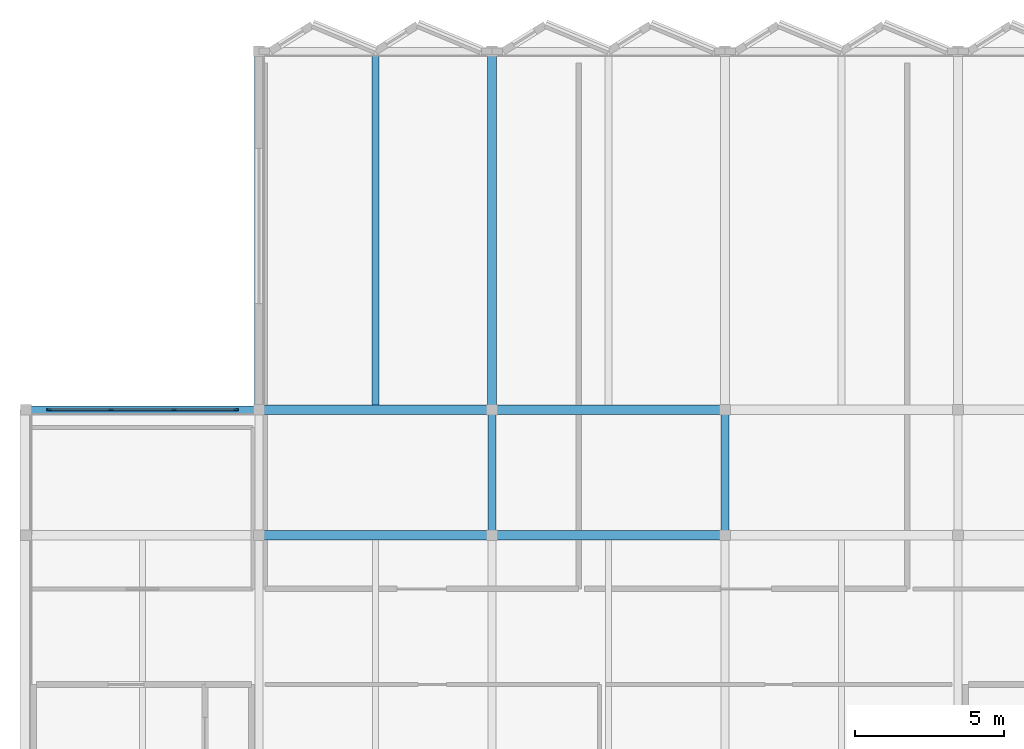
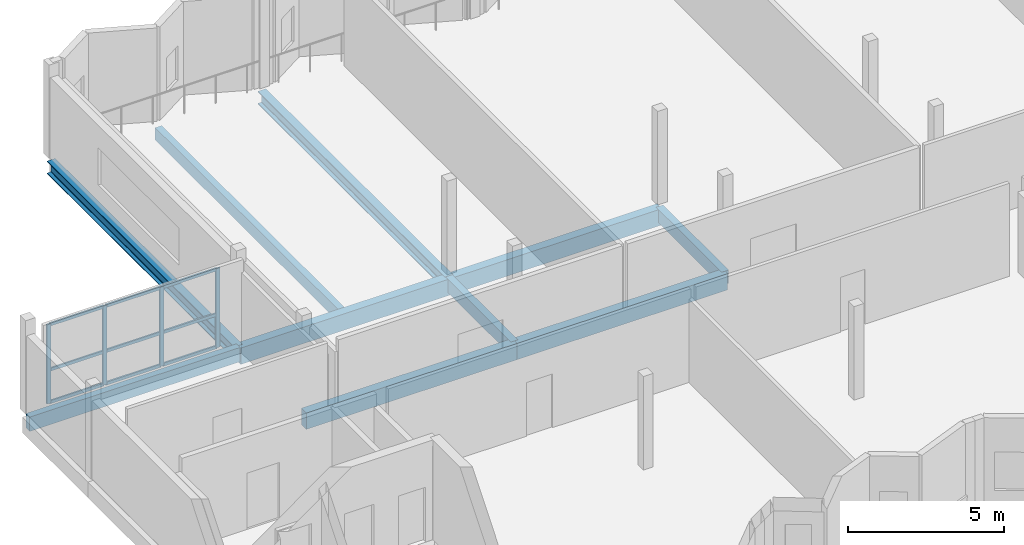
# One storey, part 2 of 8: 13 members, 10 beams, 1 element without a shape of its own.
"""IFC4 building model written with IfcOpenShell, lengths in metres."""

from ifc_helpers import new_model, si_unit, direction, frame, origin, origin_2d, place, context, subcontext, project, spatial, rectangle, i_section, extrude, material, material_profile, profile_set, type_object, element, aggregate, save


model = new_model("IFC4")

# Units and contexts
model_context = context("Model", 3, precision=1e-05, world=origin(), true_north=direction((0.0, 1.0)))
body_context = subcontext(model_context, "Body", "Model", "MODEL_VIEW")
ifc_project = project(units=[si_unit("LENGTHUNIT", "METRE"), si_unit("AREAUNIT", "SQUARE_METRE"), si_unit("VOLUMEUNIT", "CUBIC_METRE"), si_unit("PLANEANGLEUNIT", "RADIAN"), si_unit("MASSUNIT", "GRAM", prefix="KILO")], contexts=[model_context])

# Site, building, storey
site_placement = place(None, origin())
site = spatial("IfcSite", under=ifc_project, at=site_placement, CompositionType="ELEMENT")
building_placement = place(site_placement, origin())
building = spatial("IfcBuilding", under=site, at=building_placement, Name="Vharandega Faculty of Natural Sciences", CompositionType="ELEMENT")
storey_placement = place(building_placement, frame((0.0, 0.0, 43.199951171875)))
storey = spatial("IfcBuildingStorey", under=building, at=storey_placement, Name="L11", CompositionType="ELEMENT", Elevation=43.199951171875)

# Curtain wall, members
ifc_material_1 = material(Name="Aluminium and solar-control glass curtain wall", Category="aluminium")
curtain_wall_type = type_object("IfcCurtainWallType", Name="Unitised Curtain Wall System CW-05", PredefinedType="NOTDEFINED", material=ifc_material_1)
curtain_wall_placement = place(storey_placement, origin())
curtain_wall = element("IfcCurtainWall", 1, at=curtain_wall_placement, inside=storey, type_object=curtain_wall_type, Name="Curtain Wall CW-L11-032", PredefinedType="NOTDEFINED")
ifc_material_2 = material(Name="Thermally broken aluminium 6063-T6", Category="aluminium")
ifc_material_profile_1 = material_profile(ifc_material_2, rectangle(XDim=0.06005859375, YDim=0.159912109375, at=origin_2d()), Name="ALU 60x160")
ifc_profile_set_1 = profile_set([ifc_material_profile_1], Name="Thermally broken aluminium 6063-T6")
member_type_1 = type_object("IfcMemberType", Name="CW Mullion 60x160", PredefinedType="MULLION", material=ifc_profile_set_1)
member_1_placement = place(storey_placement, frame((115.570068359375, 85.0, 0.0), z_axis=(0.0, 0.0, 1.0), x_axis=(0.0, 1.0, 0.0)))
member_1 = element("IfcMember", 2, at=member_1_placement, type_object=member_type_1, Name="CW-05 mullion 1", PredefinedType="MULLION", context=body_context, shape_type="SweptSolid", body=[
    extrude(rectangle(XDim=0.06005859375, YDim=0.159912109375, at=origin_2d()), origin(), (0.0, 0.0, 1.0), 3.10009765625),
])
member_2_placement = place(storey_placement, frame((117.646728515625, 85.0, 0.0), z_axis=(0.0, 0.0, 1.0), x_axis=(0.0, 1.0, 0.0)))
member_2 = element("IfcMember", 3, at=member_2_placement, type_object=member_type_1, Name="CW-05 mullion 2", PredefinedType="MULLION", context=body_context, shape_type="SweptSolid", body=[
    extrude(rectangle(XDim=0.06005859375, YDim=0.159912109375, at=origin_2d()), origin(), (0.0, 0.0, 1.0), 3.10009765625),
])
member_3_placement = place(storey_placement, frame((119.75341796875, 85.0, 0.0), z_axis=(0.0, 0.0, 1.0), x_axis=(0.0, 1.0, 0.0)))
member_3 = element("IfcMember", 4, at=member_3_placement, type_object=member_type_1, Name="CW-05 mullion 3", PredefinedType="MULLION", context=body_context, shape_type="SweptSolid", body=[
    extrude(rectangle(XDim=0.06005859375, YDim=0.159912109375, at=origin_2d()), origin(), (0.0, 0.0, 1.0), 3.10009765625),
])
member_4_placement = place(storey_placement, frame((121.830078125, 85.0, 0.0), z_axis=(0.0, 0.0, 1.0), x_axis=(0.0, 1.0, 0.0)))
member_4 = element("IfcMember", 5, at=member_4_placement, type_object=member_type_1, Name="CW-05 mullion 4", PredefinedType="MULLION", context=body_context, shape_type="SweptSolid", body=[
    extrude(rectangle(XDim=0.06005859375, YDim=0.159912109375, at=origin_2d()), origin(), (0.0, 0.0, 1.0), 3.10009765625),
])
ifc_material_3 = material(Name="Thermally broken aluminium 6063-T6", Category="aluminium")
ifc_material_profile_2 = material_profile(ifc_material_3, rectangle(XDim=0.06005859375, YDim=0.1201171875, at=origin_2d()), Name="ALU 60x120")
ifc_profile_set_2 = profile_set([ifc_material_profile_2], Name="Thermally broken aluminium 6063-T6")
member_type_2 = type_object("IfcMemberType", Name="CW Transom 60x120", PredefinedType="USERDEFINED", material=ifc_profile_set_2)
member_5_placement = place(storey_placement, frame((115.60009765625, 85.0, 0.030029296875), z_axis=(1.0, 0.0, 0.0), x_axis=(0.0, 1.0, 0.0)))
member_5 = element("IfcMember", 6, at=member_5_placement, type_object=member_type_2, Name="CW-05 transom 1.1", ObjectType="TRANSOM", PredefinedType="USERDEFINED", context=body_context, shape_type="SweptSolid", body=[
    extrude(rectangle(XDim=0.06005859375, YDim=0.1201171875, at=origin_2d()), origin(), (0.0, 0.0, 1.0), 2.0166015625),
])
member_6_placement = place(storey_placement, frame((115.60009765625, 85.0, 1.302001953125), z_axis=(1.0, 0.0, 0.0), x_axis=(0.0, 1.0, 0.0)))
member_6 = element("IfcMember", 7, at=member_6_placement, type_object=member_type_2, Name="CW-05 transom 1.2", ObjectType="TRANSOM", PredefinedType="USERDEFINED", context=body_context, shape_type="SweptSolid", body=[
    extrude(rectangle(XDim=0.06005859375, YDim=0.1201171875, at=origin_2d()), origin(), (0.0, 0.0, 1.0), 2.0166015625),
])
member_7_placement = place(storey_placement, frame((115.60009765625, 85.0, 3.070068359375), z_axis=(1.0, 0.0, 0.0), x_axis=(0.0, 1.0, 0.0)))
member_7 = element("IfcMember", 8, at=member_7_placement, type_object=member_type_2, Name="CW-05 transom 1.3", ObjectType="TRANSOM", PredefinedType="USERDEFINED", context=body_context, shape_type="SweptSolid", body=[
    extrude(rectangle(XDim=0.06005859375, YDim=0.1201171875, at=origin_2d()), origin(), (0.0, 0.0, 1.0), 2.0166015625),
])
member_8_placement = place(storey_placement, frame((117.6767578125, 85.0, 0.030029296875), z_axis=(1.0, 0.0, 0.0), x_axis=(0.0, 1.0, 0.0)))
member_8 = element("IfcMember", 9, at=member_8_placement, type_object=member_type_2, Name="CW-05 transom 2.1", ObjectType="TRANSOM", PredefinedType="USERDEFINED", context=body_context, shape_type="SweptSolid", body=[
    extrude(rectangle(XDim=0.06005859375, YDim=0.1201171875, at=origin_2d()), origin(), (0.0, 0.0, 1.0), 2.046630859375),
])
member_9_placement = place(storey_placement, frame((117.6767578125, 85.0, 1.302001953125), z_axis=(1.0, 0.0, 0.0), x_axis=(0.0, 1.0, 0.0)))
member_9 = element("IfcMember", 10, at=member_9_placement, type_object=member_type_2, Name="CW-05 transom 2.2", ObjectType="TRANSOM", PredefinedType="USERDEFINED", context=body_context, shape_type="SweptSolid", body=[
    extrude(rectangle(XDim=0.06005859375, YDim=0.1201171875, at=origin_2d()), origin(), (0.0, 0.0, 1.0), 2.046630859375),
])
member_10_placement = place(storey_placement, frame((117.6767578125, 85.0, 3.070068359375), z_axis=(1.0, 0.0, 0.0), x_axis=(0.0, 1.0, 0.0)))
member_10 = element("IfcMember", 11, at=member_10_placement, type_object=member_type_2, Name="CW-05 transom 2.3", ObjectType="TRANSOM", PredefinedType="USERDEFINED", context=body_context, shape_type="SweptSolid", body=[
    extrude(rectangle(XDim=0.06005859375, YDim=0.1201171875, at=origin_2d()), origin(), (0.0, 0.0, 1.0), 2.046630859375),
])
member_11_placement = place(storey_placement, frame((119.783447265625, 85.0, 0.030029296875), z_axis=(1.0, 0.0, 0.0), x_axis=(0.0, 1.0, 0.0)))
member_11 = element("IfcMember", 12, at=member_11_placement, type_object=member_type_2, Name="CW-05 transom 3.1", ObjectType="TRANSOM", PredefinedType="USERDEFINED", context=body_context, shape_type="SweptSolid", body=[
    extrude(rectangle(XDim=0.06005859375, YDim=0.1201171875, at=origin_2d()), origin(), (0.0, 0.0, 1.0), 2.0166015625),
])
member_12_placement = place(storey_placement, frame((119.783447265625, 85.0, 1.302001953125), z_axis=(1.0, 0.0, 0.0), x_axis=(0.0, 1.0, 0.0)))
member_12 = element("IfcMember", 13, at=member_12_placement, type_object=member_type_2, Name="CW-05 transom 3.2", ObjectType="TRANSOM", PredefinedType="USERDEFINED", context=body_context, shape_type="SweptSolid", body=[
    extrude(rectangle(XDim=0.06005859375, YDim=0.1201171875, at=origin_2d()), origin(), (0.0, 0.0, 1.0), 2.0166015625),
])
member_13_placement = place(storey_placement, frame((119.783447265625, 85.0, 3.070068359375), z_axis=(1.0, 0.0, 0.0), x_axis=(0.0, 1.0, 0.0)))
member_13 = element("IfcMember", 14, at=member_13_placement, type_object=member_type_2, Name="CW-05 transom 3.3", ObjectType="TRANSOM", PredefinedType="USERDEFINED", context=body_context, shape_type="SweptSolid", body=[
    extrude(rectangle(XDim=0.06005859375, YDim=0.1201171875, at=origin_2d()), origin(), (0.0, 0.0, 1.0), 2.0166015625),
])
aggregate(curtain_wall, [member_1, member_2, member_3, member_4, member_5, member_6, member_7, member_8, member_9, member_10, member_11, member_12, member_13])

# Beams
ifc_material_4 = material(Name="Glulam GL28h", Category="wood")
ifc_material_profile_3 = material_profile(ifc_material_4, rectangle(XDim=0.260009765625, YDim=0.52001953125, at=origin_2d()), Name="GL28h 260x520")
ifc_profile_set_3 = profile_set([ifc_material_profile_3], Name="Glulam GL28h")
beam_type_1 = type_object("IfcBeamType", Name="Glulam Floor Beam 260x520", PredefinedType="BEAM", material=ifc_profile_set_3)
for number, where, z_axis, x_axis, name in (
    (15, (130.39990234375, 80.800048828125, -0.469970703125), (0.0, 1.0, 0.0), (-1.0, 0.0, 0.0), "Beam L11 17/L-M"),
    (16, (138.199951171875, 80.800048828125, -0.469970703125), (0.0, 1.0, 0.0), (-1.0, 0.0, 0.0), "Beam L11 18/L-M"),
):
    element("IfcBeam", number, at=place(storey_placement, frame(where, z_axis=z_axis, x_axis=x_axis)), inside=storey, type_object=beam_type_1, Name=name, PredefinedType="BEAM", context=body_context, shape_type="SweptSolid", body=[
        extrude(rectangle(XDim=0.260009765625, YDim=0.52001953125, at=origin_2d()), origin(), (0.0, 0.0, 1.0), 4.199951171875),
    ])
ifc_material_5 = material(Name="Glulam GL28h", Category="wood")
ifc_material_profile_4 = material_profile(ifc_material_5, rectangle(XDim=0.320068359375, YDim=0.639892578125, at=origin_2d()), Name="GL28h 320x640")
ifc_profile_set_4 = profile_set([ifc_material_profile_4], Name="Glulam GL28h")
beam_type_2 = type_object("IfcBeamType", Name="Glulam Floor Beam 320x640", PredefinedType="BEAM", material=ifc_profile_set_4)
beam_1_placement = place(storey_placement, frame((122.60009765625, 80.800048828125, -0.530029296875), z_axis=(1.0, 0.0, 0.0), x_axis=(0.0, 1.0, 0.0)))
element("IfcBeam", 17, at=beam_1_placement, inside=storey, type_object=beam_type_2, Name="Beam L11 L/16-17", PredefinedType="BEAM", context=body_context, shape_type="SweptSolid", body=[
    extrude(rectangle(XDim=0.320068359375, YDim=0.639892578125, at=origin_2d()), origin(), (0.0, 0.0, 1.0), 7.7998046875),
])
beam_2_placement = place(storey_placement, frame((130.39990234375, 80.800048828125, -0.530029296875), z_axis=(1.0, 0.0, 0.0), x_axis=(0.0, 1.0, 0.0)))
element("IfcBeam", 18, at=beam_2_placement, inside=storey, type_object=beam_type_2, Name="Beam L11 L/17-18", PredefinedType="BEAM", context=body_context, shape_type="SweptSolid", body=[
    extrude(rectangle(XDim=0.320068359375, YDim=0.639892578125, at=origin_2d()), origin(), (0.0, 0.0, 1.0), 7.800048828125),
])
beam_3_placement = place(storey_placement, frame((122.60009765625, 85.0, -0.530029296875), z_axis=(1.0, 0.0, 0.0), x_axis=(0.0, 1.0, 0.0)))
element("IfcBeam", 19, at=beam_3_placement, inside=storey, type_object=beam_type_2, Name="Beam L11 M/16-17", PredefinedType="BEAM", context=body_context, shape_type="SweptSolid", body=[
    extrude(rectangle(XDim=0.320068359375, YDim=0.639892578125, at=origin_2d()), origin(), (0.0, 0.0, 1.0), 7.7998046875),
])
beam_4_placement = place(storey_placement, frame((130.39990234375, 85.0, -0.530029296875), z_axis=(1.0, 0.0, 0.0), x_axis=(0.0, 1.0, 0.0)))
element("IfcBeam", 20, at=beam_4_placement, inside=storey, type_object=beam_type_2, Name="Beam L11 M/17-18", PredefinedType="BEAM", context=body_context, shape_type="SweptSolid", body=[
    extrude(rectangle(XDim=0.320068359375, YDim=0.639892578125, at=origin_2d()), origin(), (0.0, 0.0, 1.0), 7.800048828125),
])
ifc_material_6 = material(Name="Glulam GL28h", Category="wood")
ifc_material_profile_5 = material_profile(ifc_material_6, rectangle(XDim=0.239990234375, YDim=0.47998046875, at=origin_2d()), Name="GL28h 240x480")
ifc_profile_set_5 = profile_set([ifc_material_profile_5], Name="Glulam GL28h")
beam_type_3 = type_object("IfcBeamType", Name="Glulam Secondary Joist 240x480", PredefinedType="JOIST", material=ifc_profile_set_5)
beam_5_placement = place(storey_placement, frame((126.5, 85.159912109375, -0.449951171875), z_axis=(0.0, 1.0, 0.0), x_axis=(-1.0, 0.0, 0.0)))
element("IfcBeam", 21, at=beam_5_placement, inside=storey, type_object=beam_type_3, Name="Secondary Joist L11 16-17/M-N", PredefinedType="JOIST", context=body_context, shape_type="SweptSolid", body=[
    extrude(rectangle(XDim=0.239990234375, YDim=0.47998046875, at=origin_2d()), origin(), (0.0, 0.0, 1.0), 11.719970703125),
])
ifc_material_7 = material(Name="Glulam GL28h", Category="wood")
ifc_material_profile_6 = material_profile(ifc_material_7, rectangle(XDim=0.239990234375, YDim=0.56005859375, at=origin_2d()), Name="GL28h 240x560")
ifc_profile_set_6 = profile_set([ifc_material_profile_6], Name="Glulam GL28h")
beam_type_4 = type_object("IfcBeamType", Name="Glulam Spandrel Edge Beam 240x560", PredefinedType="SPANDREL", material=ifc_profile_set_6)
beam_6_placement = place(storey_placement, frame((114.800048828125, 85.0, -0.489990234375), z_axis=(1.0, 0.0, 0.0), x_axis=(0.0, 1.0, 0.0)))
element("IfcBeam", 22, at=beam_6_placement, inside=storey, type_object=beam_type_4, Name="Beam L11 M/15-16", PredefinedType="SPANDREL", context=body_context, shape_type="SweptSolid", body=[
    extrude(rectangle(XDim=0.239990234375, YDim=0.56005859375, at=origin_2d()), origin(), (0.0, 0.0, 1.0), 7.800048828125),
])
ifc_material_8 = material(Name="Steel S355", Category="steel")
ifc_material_profile_7 = material_profile(ifc_material_8, i_section(OverallWidth=0.300048828125, OverallDepth=0.5, WebThickness=0.014404296875, FlangeThickness=0.028076171875, FilletRadius=0.027099609375, at=origin_2d()), Name="HEB 500")
ifc_profile_set_7 = profile_set([ifc_material_profile_7], Name="Steel S355")
beam_type_5 = type_object("IfcBeamType", Name="Steel Collector Beam HEB 500", PredefinedType="BEAM", material=ifc_profile_set_7)
for number, where, z_axis, x_axis, name in (
    (23, (122.60009765625, 85.0, -0.4599609375), (0.0, 1.0, 0.0), (-1.0, 0.0, 0.0), "Beam L11 16/M-N"),
    (24, (130.39990234375, 85.0, -0.4599609375), (0.0, 1.0, 0.0), (-1.0, 0.0, 0.0), "Beam L11 17/M-N"),
):
    element("IfcBeam", number, at=place(storey_placement, frame(where, z_axis=z_axis, x_axis=x_axis)), inside=storey, type_object=beam_type_5, Name=name, PredefinedType="BEAM", context=body_context, shape_type="SweptSolid", body=[
        extrude(i_section(OverallWidth=0.300048828125, OverallDepth=0.5, WebThickness=0.014404296875, FlangeThickness=0.028076171875, FilletRadius=0.027099609375, at=origin_2d()), origin(), (0.0, 0.0, 1.0), 12.0),
    ])

save(model, "model.ifc")
